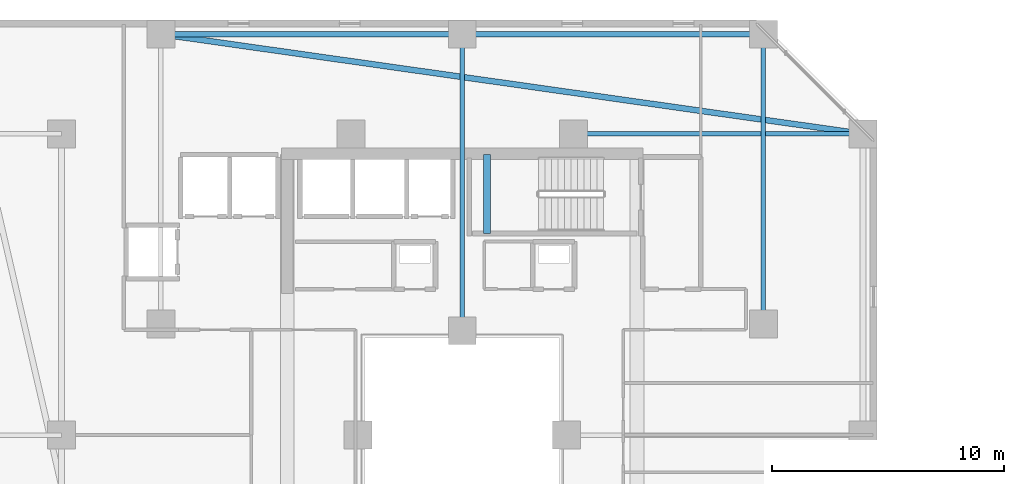
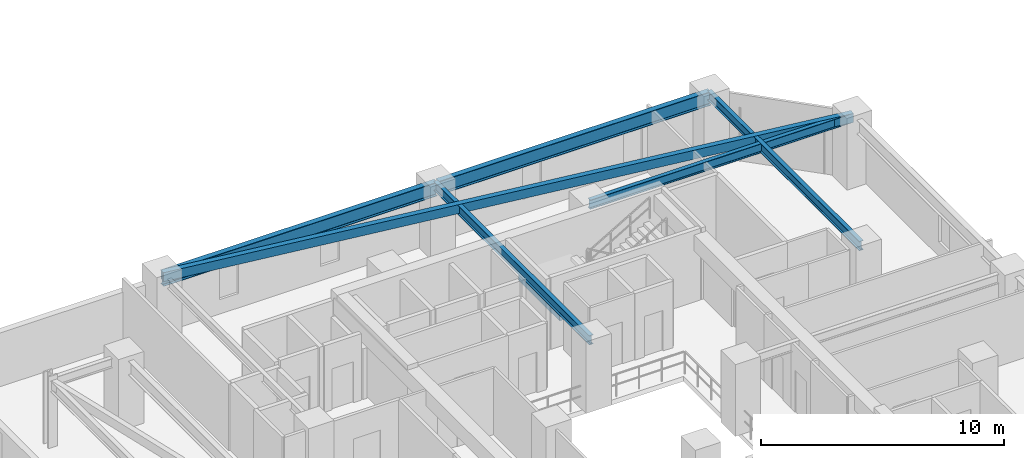
# One storey, part 8 of 33: 7 beams.
"""IFC4 building model written with IfcOpenShell, lengths in metres."""

from ifc_helpers import new_model, si_unit, direction, frame, origin, origin_2d, place, context, subcontext, project, spatial, rectangle, hollow_rectangle, i_section, extrude, material, material_profile, profile_set, type_object, element, save


model = new_model("IFC4")

# Units and contexts
model_context = context("Model", 3, precision=1e-05, world=origin(), true_north=direction((0.0, 1.0)))
body_context = subcontext(model_context, "Body", "Model", "MODEL_VIEW")
ifc_project = project(units=[si_unit("LENGTHUNIT", "METRE"), si_unit("AREAUNIT", "SQUARE_METRE"), si_unit("VOLUMEUNIT", "CUBIC_METRE"), si_unit("PLANEANGLEUNIT", "RADIAN"), si_unit("MASSUNIT", "GRAM", prefix="KILO")], contexts=[model_context])

# Site, building, storey
site_placement = place(None, origin())
site = spatial("IfcSite", under=ifc_project, at=site_placement, CompositionType="ELEMENT")
building_placement = place(site_placement, origin())
building = spatial("IfcBuilding", under=site, at=building_placement, Name="Thornwick Lancets Civic Towers", CompositionType="ELEMENT")
storey_placement = place(building_placement, frame((0.0, 0.0, 134.10009765625)))
storey = spatial("IfcBuildingStorey", under=building, at=storey_placement, Name="L35", CompositionType="ELEMENT", Elevation=134.10009765625)

# Beams
ifc_material_1 = material(Name="Steel S355JR", Category="steel")
ifc_material_profile_1 = material_profile(ifc_material_1, i_section(OverallWidth=0.255859375, OverallDepth=0.69287109375, WebThickness=0.014404296875, FlangeThickness=0.023681640625, FilletRadius=0.01513671875, at=origin_2d()), Name="UKB 686x254x170")
ifc_profile_set_1 = profile_set([ifc_material_profile_1], Name="Steel S355JR")
beam_type_1 = type_object("IfcBeamType", Name="BM_GIRD_686_170", PredefinedType="BEAM", material=ifc_profile_set_1)
beam_1_placement = place(storey_placement, frame((12.5, 44.300048828125, 3.013427734375), z_axis=(1.0, 0.0, 0.0), x_axis=(0.0, 1.0, 0.0)))
element("IfcBeam", 1, at=beam_1_placement, inside=storey, type_object=beam_type_1, Name="BM-SPINE-L35-A-6-7", PredefinedType="BEAM", context=body_context, shape_type="SweptSolid", body=[
    extrude(i_section(OverallWidth=0.255859375, OverallDepth=0.69287109375, WebThickness=0.014404296875, FlangeThickness=0.023681640625, FilletRadius=0.01513671875, at=origin_2d()), origin(), (0.0, 0.0, 1.0), 13.0),
])
beam_2_placement = place(storey_placement, frame((25.580078125, 44.300048828125, 3.013427734375), z_axis=(1.0, 0.0, 0.0), x_axis=(0.0, 1.0, 0.0)))
element("IfcBeam", 2, at=beam_2_placement, inside=storey, type_object=beam_type_1, Name="BM-SPINE-L35-A-7-8", PredefinedType="BEAM", context=body_context, shape_type="SweptSolid", body=[
    extrude(i_section(OverallWidth=0.255859375, OverallDepth=0.69287109375, WebThickness=0.014404296875, FlangeThickness=0.023681640625, FilletRadius=0.01513671875, at=origin_2d()), origin(), (0.0, 0.0, 1.0), 12.919921875),
])
ifc_material_profile_2 = material_profile(ifc_material_1, i_section(OverallWidth=0.19287109375, OverallDepth=0.46728515625, WebThickness=0.011474609375, FlangeThickness=0.01953125, FilletRadius=0.01025390625, at=origin_2d()), Name="UKB 457x191x98")
ifc_profile_set_2 = profile_set([ifc_material_profile_2], Name="Steel S355JR")
beam_type_2 = type_object("IfcBeamType", Name="BM_JOIST_457_98", PredefinedType="JOIST", material=ifc_profile_set_2)
beam_3_placement = place(storey_placement, frame((30.300048828125, 40.0, 3.126220703125), z_axis=(1.0, 0.0, 0.0), x_axis=(0.0, 1.0, 0.0)))
element("IfcBeam", 3, at=beam_3_placement, inside=storey, type_object=beam_type_2, Name="BM-RADIN-L35-A06", PredefinedType="JOIST", context=body_context, shape_type="SweptSolid", body=[
    extrude(i_section(OverallWidth=0.19287109375, OverallDepth=0.46728515625, WebThickness=0.011474609375, FlangeThickness=0.01953125, FilletRadius=0.01025390625, at=origin_2d()), origin(), (0.0, 0.0, 1.0), 12.5),
])
beam_4_placement = place(storey_placement, frame((25.5, 31.5, 3.126220703125), z_axis=(0.0, 1.0, 0.0), x_axis=(-1.0, 0.0, 0.0)))
element("IfcBeam", 4, at=beam_4_placement, inside=storey, type_object=beam_type_2, Name="BM-RADIN-L35-A08", PredefinedType="JOIST", context=body_context, shape_type="SweptSolid", body=[
    extrude(i_section(OverallWidth=0.19287109375, OverallDepth=0.46728515625, WebThickness=0.011474609375, FlangeThickness=0.01953125, FilletRadius=0.01025390625, at=origin_2d()), origin(), (0.0, 0.0, 1.0), 12.800048828125),
])
beam_5_placement = place(storey_placement, frame((38.5, 31.800048828125, 3.126220703125), z_axis=(0.0, 1.0, 0.0), x_axis=(-1.0, 0.0, 0.0)))
element("IfcBeam", 5, at=beam_5_placement, inside=storey, type_object=beam_type_2, Name="BM-RADIN-L35-A09", PredefinedType="JOIST", context=body_context, shape_type="SweptSolid", body=[
    extrude(i_section(OverallWidth=0.19287109375, OverallDepth=0.46728515625, WebThickness=0.011474609375, FlangeThickness=0.01953125, FilletRadius=0.01025390625, at=origin_2d()), origin(), (0.0, 0.0, 1.0), 12.5),
])
ifc_material_profile_3 = material_profile(ifc_material_1, hollow_rectangle(XDim=0.25, YDim=0.449951171875, WallThickness=0.01611328125, at=origin_2d()), Name="RHS 450x250x16")
ifc_profile_set_3 = profile_set([ifc_material_profile_3], Name="Steel S355JR")
beam_type_3 = type_object("IfcBeamType", Name="BM_RING_RHS450", PredefinedType="BEAM", material=ifc_profile_set_3)
beam_6_placement = place(storey_placement, frame((42.800048828125, 40.0, 3.135009765625), z_axis=(-0.990079584012, 0.140507712682, 0.0), x_axis=(-0.140507712682, -0.990079584012, 0.0)))
element("IfcBeam", 6, at=beam_6_placement, inside=storey, type_object=beam_type_3, Name="BM-CHAMF-L35-A-C1", PredefinedType="BEAM", context=body_context, shape_type="SweptSolid", body=[
    extrude(hollow_rectangle(XDim=0.25, YDim=0.449951171875, WallThickness=0.01611328125, at=origin_2d()), origin(), (0.0, 0.0, 1.0), 30.603759765625),
])
ifc_material_2 = material(Name="Concrete C40/50", Category="concrete")
ifc_material_profile_4 = material_profile(ifc_material_2, rectangle(XDim=0.300048828125, YDim=0.35009765625, at=origin_2d()), Name="RC 300x350")
ifc_profile_set_4 = profile_set([ifc_material_profile_4], Name="Concrete C40/50")
beam_type_4 = type_object("IfcBeamType", Name="BM_STAIR_LDG", PredefinedType="BEAM", material=ifc_profile_set_4)
beam_7_placement = place(storey_placement, frame((26.56494140625, 39.10009765625, 1.3779296875), z_axis=(0.0, -1.0, 0.0), x_axis=(1.0, 0.0, 0.0)))
element("IfcBeam", 7, at=beam_7_placement, inside=storey, type_object=beam_type_4, Name="L35 ST-A2 Landing Support Beam 1", PredefinedType="BEAM", context=body_context, shape_type="SweptSolid", body=[
    extrude(rectangle(XDim=0.300048828125, YDim=0.35009765625, at=origin_2d()), origin(), (0.0, 0.0, 1.0), 3.400146484375),
])

save(model, "model.ifc")
